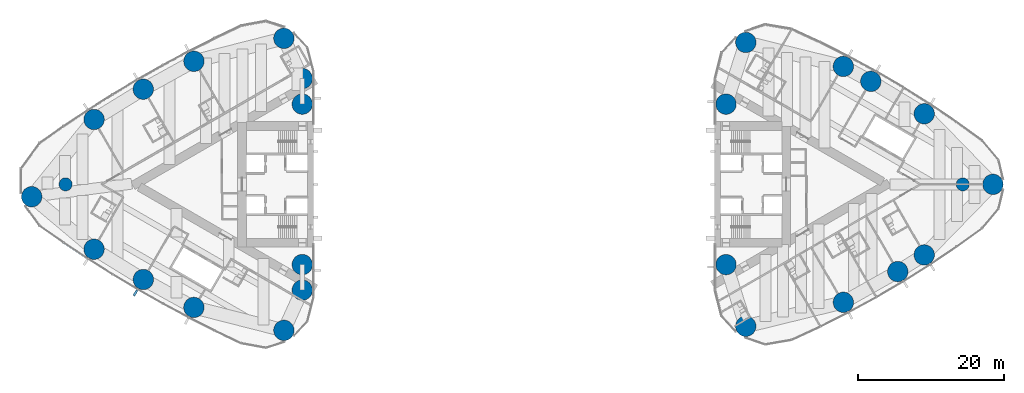
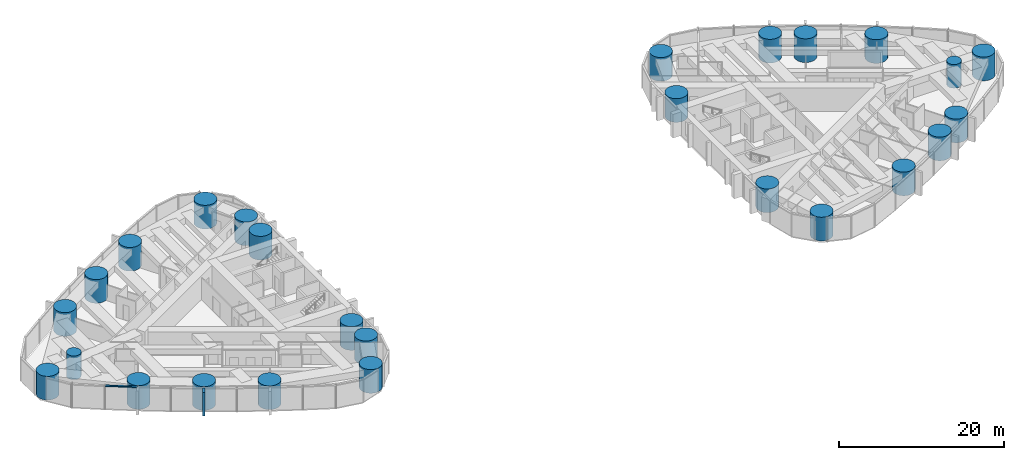
# One storey, part 1 of 19: 26 columns, 2 members, 1 element without a shape of its own.
"""IFC4 building model written with IfcOpenShell, lengths in metres."""

from ifc_helpers import new_model, si_unit, direction, frame, origin, origin_2d, place, context, subcontext, project, spatial, rectangle, circle, extrude, material, material_profile, profile_set, type_object, element, aggregate, save


model = new_model("IFC4")

# Units and contexts
model_context = context("Model", 3, precision=1e-05, world=origin(), true_north=direction((0.0, 1.0)))
body_context = subcontext(model_context, "Body", "Model", "MODEL_VIEW")
ifc_project = project(units=[si_unit("LENGTHUNIT", "METRE"), si_unit("AREAUNIT", "SQUARE_METRE"), si_unit("VOLUMEUNIT", "CUBIC_METRE"), si_unit("PLANEANGLEUNIT", "RADIAN"), si_unit("MASSUNIT", "GRAM", prefix="KILO")], contexts=[model_context])

# Site, building, storey
site_placement = place(None, origin())
site = spatial("IfcSite", under=ifc_project, at=site_placement, CompositionType="ELEMENT")
building_placement = place(site_placement, origin())
building = spatial("IfcBuilding", under=site, at=building_placement, Name="Lancet Gate Hotel", CompositionType="ELEMENT")
storey_placement = place(building_placement, frame((0.0, 0.0, 194.800048828125)))
storey = spatial("IfcBuildingStorey", under=building, at=storey_placement, Name="L52", CompositionType="ELEMENT", Elevation=194.800048828125)

# Columns
ifc_material_1 = material(Name="Concrete C60/75", Category="concrete")
ifc_material_profile_1 = material_profile(ifc_material_1, circle(Radius=0.89990234375, at=origin_2d()), Name="RC D1800")
ifc_profile_set_1 = profile_set([ifc_material_profile_1], Name="Concrete C60/75")
column_type_1 = type_object("IfcColumnType", Name="Apex column RC D1800", PredefinedType="COLUMN", material=ifc_profile_set_1)
for number, where, z_axis, x_axis, name in (
    (1, (-61.5, 0.0, 0.0), (0.0, 0.0, 1.0), (1.0, 0.0, 0.0), "T1 column AX L52"),
    (2, (61.5, 0.0, 0.0), (0.0, 0.0, 1.0), (1.0, 0.0, 0.0), "T2 column AX L52"),
):
    element("IfcColumn", number, at=place(storey_placement, frame(where, z_axis=z_axis, x_axis=x_axis)), inside=storey, type_object=column_type_1, Name=name, PredefinedType="COLUMN", context=body_context, shape_type="SweptSolid", body=[
        extrude(circle(Radius=0.89990234375, at=origin_2d()), origin(), (0.0, 0.0, 1.0), 3.5),
    ])
ifc_material_2 = material(Name="Concrete C60/75", Category="concrete")
ifc_material_profile_2 = material_profile(ifc_material_2, circle(Radius=1.39990234375, at=origin_2d()), Name="RC D2800")
ifc_profile_set_2 = profile_set([ifc_material_profile_2], Name="Concrete C60/75")
column_type_2 = type_object("IfcColumnType", Name="Perimeter column RC D2800", PredefinedType="COLUMN", material=ifc_profile_set_2)
for number, where, z_axis, x_axis, name in (
    (3, (-66.142578125, -1.6953125, 0.0), (0.0, 0.0, 1.0), (1.0, 0.0, 0.0), "T1 column CA L52"),
    (4, (-31.5654296875, -20.015869140625, 0.0), (0.0, 0.0, 1.0), (1.0, 0.0, 0.0), "T1 column CN L52"),
    (5, (-31.5654296875, 20.015869140625, 0.0), (0.0, 0.0, 1.0), (1.0, 0.0, 0.0), "T1 column CS L52"),
    (6, (-29.050048828125, -11.0, 0.0), (0.0, 0.0, 1.0), (1.0, 0.0, 0.0), "T1 column IN L52"),
    (7, (-29.050048828125, 11.0, 0.0), (0.0, 0.0, 1.0), (1.0, 0.0, 0.0), "T1 column IS L52"),
    (8, (-29.050048828125, 14.5, 0.0), (0.0, 0.0, 1.0), (1.0, 0.0, 0.0), "T1 column IT L52"),
    (9, (-29.050048828125, -14.5, 0.0), (0.0, 0.0, 1.0), (1.0, 0.0, 0.0), "T1 column JT L52"),
    (10, (-57.589599609375, -8.89306640625, 0.0), (0.0, 0.0, 1.0), (1.0, 0.0, 0.0), "T1 column ON1 L52"),
    (11, (-50.8388671875, -13.043212890625, 0.0), (0.0, 0.0, 1.0), (1.0, 0.0, 0.0), "T1 column ON2 L52"),
    (12, (-43.900390625, -16.871337890625, 0.0), (0.0, 0.0, 1.0), (1.0, 0.0, 0.0), "T1 column ON3 L52"),
    (13, (-43.900390625, 16.871337890625, 0.0), (0.0, 0.0, 1.0), (1.0, 0.0, 0.0), "T1 column OS1 L52"),
    (14, (-50.8388671875, 13.043212890625, 0.0), (0.0, 0.0, 1.0), (1.0, 0.0, 0.0), "T1 column OS2 L52"),
    (15, (-57.589599609375, 8.89306640625, 0.0), (0.0, 0.0, 1.0), (1.0, 0.0, 0.0), "T1 column OS3 L52"),
    (16, (65.6396484375, 0.0, 0.0), (0.0, 0.0, 1.0), (1.0, 0.0, 0.0), "T2 column CA L52"),
    (17, (31.759765625, 19.455810546875, 0.0), (0.0, 0.0, 1.0), (1.0, 0.0, 0.0), "T2 column CN L52"),
    (18, (31.759765625, -19.455810546875, 0.0), (0.0, 0.0, 1.0), (1.0, 0.0, 0.0), "T2 column CS L52"),
    (19, (29.050048828125, 11.0, 0.0), (0.0, 0.0, 1.0), (1.0, 0.0, 0.0), "T2 column IN L52"),
    (20, (29.050048828125, -11.0, 0.0), (0.0, 0.0, 1.0), (1.0, 0.0, 0.0), "T2 column IS L52"),
    (21, (56.220947265625, 9.67236328125, 0.0), (0.0, 0.0, 1.0), (1.0, 0.0, 0.0), "T2 column ON1 L52"),
    (22, (48.8974609375, 14.12060546875, 0.0), (0.0, 0.0, 1.0), (1.0, 0.0, 0.0), "T2 column ON2 L52"),
    (23, (45.133544921875, 16.16845703125, 0.0), (0.0, 0.0, 1.0), (1.0, 0.0, 0.0), "T2 column ON3 L52"),
    (24, (45.133544921875, -16.16845703125, 0.0), (0.0, 0.0, 1.0), (1.0, 0.0, 0.0), "T2 column OS1 L52"),
    (25, (52.594482421875, -11.95458984375, 0.0), (0.0, 0.0, 1.0), (1.0, 0.0, 0.0), "T2 column OS2 L52"),
    (26, (56.220947265625, -9.67236328125, 0.0), (0.0, 0.0, 1.0), (1.0, 0.0, 0.0), "T2 column OS3 L52"),
):
    element("IfcColumn", number, at=place(storey_placement, frame(where, z_axis=z_axis, x_axis=x_axis)), inside=storey, type_object=column_type_2, Name=name, PredefinedType="COLUMN", context=body_context, shape_type="SweptSolid", body=[
        extrude(circle(Radius=1.39990234375, at=origin_2d()), origin(), (0.0, 0.0, 1.0), 3.5),
    ])

# Curtain wall, members
ifc_material_3 = material(Name="Aluminium curtain wall", Category="aluminium")
curtain_wall_type = type_object("IfcCurtainWallType", Name="Tower unitised curtain wall", PredefinedType="USERDEFINED", material=ifc_material_3)
curtain_wall_placement = place(storey_placement, origin())
curtain_wall = element("IfcCurtainWall", 27, at=curtain_wall_placement, inside=storey, type_object=curtain_wall_type, Name="T1 L52 curtain wall 3", ObjectType="UNITISED CURTAIN WALL", PredefinedType="USERDEFINED")
ifc_material_4 = material(Name="Aluminium transom", Category="aluminium")
ifc_material_profile_3 = material_profile(ifc_material_4, rectangle(XDim=0.25, YDim=0.14990234375, at=origin_2d()), Name="TRANSOM 250x150")
ifc_profile_set_3 = profile_set([ifc_material_profile_3], Name="Aluminium transom")
member_type_1 = type_object("IfcMemberType", Name="Aluminium transom 250x150", PredefinedType="USERDEFINED", material=ifc_profile_set_3)
member_1_placement = place(storey_placement, frame((-61.735595703125, -7.998779296875, 3.425048828125), z_axis=(0.832870509189, -0.553467898729, 0.0), x_axis=(0.553467898729, 0.832870509189, 0.0)))
member_1 = element("IfcMember", 28, at=member_1_placement, type_object=member_type_1, Name="T1 L52 curtain wall 3 transom 3", ObjectType="TRANSOM", PredefinedType="USERDEFINED", context=body_context, shape_type="SweptSolid", body=[
    extrude(rectangle(XDim=0.25, YDim=0.14990234375, at=origin_2d()), origin(), (0.0, 0.0, 1.0), 3.933837890625),
])
ifc_material_5 = material(Name="Precast concrete C50/60", Category="concrete")
ifc_material_profile_4 = material_profile(ifc_material_5, rectangle(XDim=0.300048828125, YDim=0.89990234375, at=origin_2d()), Name="FIN 300x900")
ifc_profile_set_4 = profile_set([ifc_material_profile_4], Name="Precast concrete C50/60")
member_type_2 = type_object("IfcMemberType", Name="Exposed concrete fin 300x900", PredefinedType="USERDEFINED", material=ifc_profile_set_4)
member_2_placement = place(storey_placement, frame((-51.908935546875, -14.879150390625, 0.0), z_axis=(0.0, 0.0, 1.0), x_axis=(0.863968774311, -0.503545387245, 0.0)))
member_2 = element("IfcMember", 29, at=member_2_placement, type_object=member_type_2, Name="T1 L52 curtain wall 3 fin 6", ObjectType="FIN", PredefinedType="USERDEFINED", context=body_context, shape_type="SweptSolid", body=[
    extrude(rectangle(XDim=0.300048828125, YDim=0.89990234375, at=origin_2d()), origin(), (0.0, 0.0, 1.0), 3.5),
])
aggregate(curtain_wall, [member_2, member_1])

save(model, "model.ifc")
